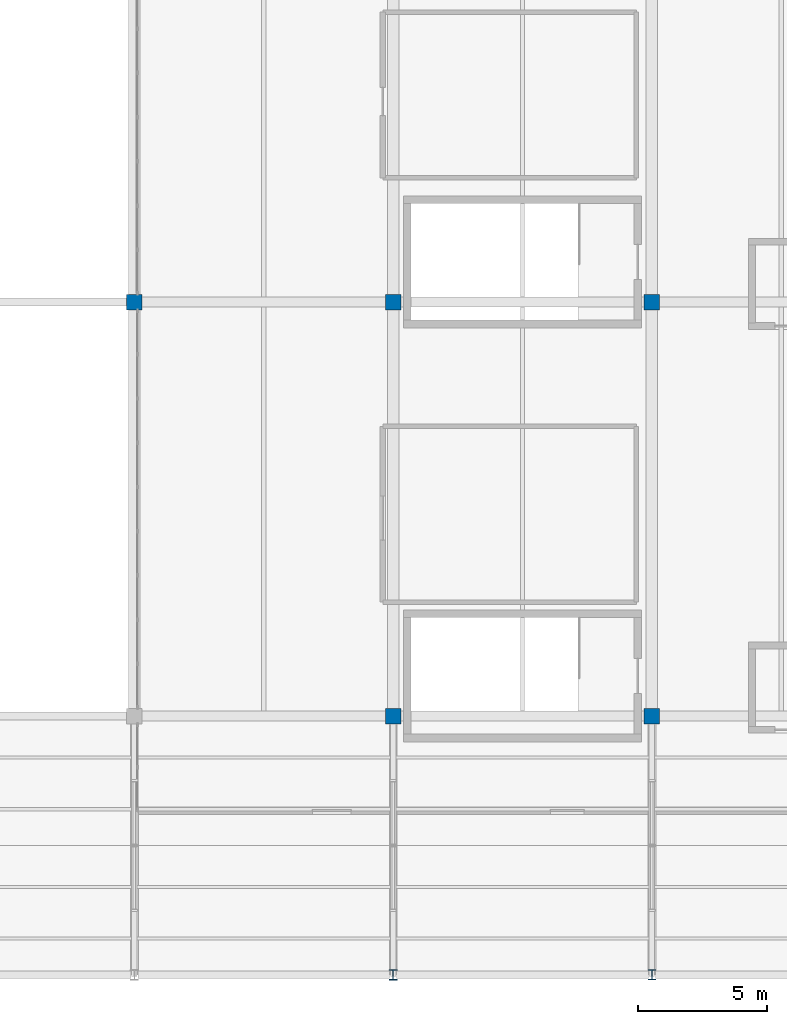
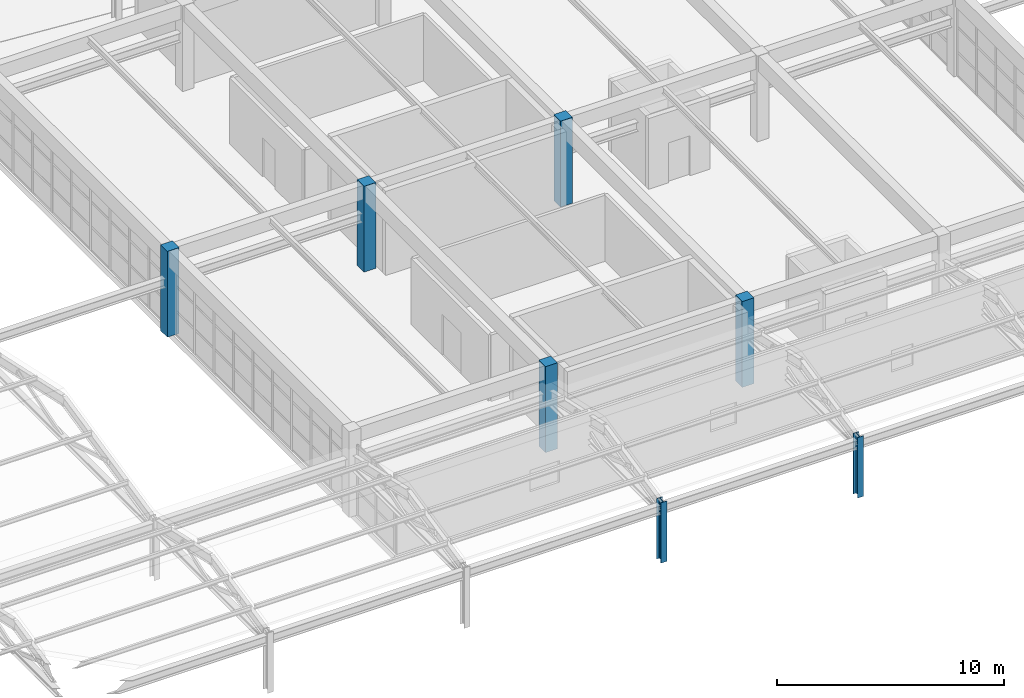
# One storey, part 2 of 109: 7 columns.
"""IFC4 building model written with IfcOpenShell, lengths in metres."""

from ifc_helpers import new_model, si_unit, direction, frame, origin, origin_2d, place, context, subcontext, project, spatial, rectangle, i_section, extrude, material, material_profile, profile_set, type_object, element, save


model = new_model("IFC4")

# Units and contexts
model_context = context("Model", 3, precision=1e-05, world=origin(), true_north=direction((0.0, 1.0)))
body_context = subcontext(model_context, "Body", "Model", "MODEL_VIEW")
ifc_project = project(units=[si_unit("LENGTHUNIT", "METRE"), si_unit("AREAUNIT", "SQUARE_METRE"), si_unit("VOLUMEUNIT", "CUBIC_METRE"), si_unit("PLANEANGLEUNIT", "RADIAN"), si_unit("MASSUNIT", "GRAM", prefix="KILO")], contexts=[model_context])

# Site, building, storey
site_placement = place(None, origin())
site = spatial("IfcSite", under=ifc_project, at=site_placement, CompositionType="ELEMENT")
building_placement = place(site_placement, origin())
building = spatial("IfcBuilding", under=site, at=building_placement, Name="Kivolera Central Railway Station", CompositionType="ELEMENT")
storey_placement = place(building_placement, frame((0.0, 0.0, 9.60009765625)))
storey = spatial("IfcBuildingStorey", under=building, at=storey_placement, Name="L02", CompositionType="ELEMENT", Elevation=9.60009765625)

# Columns
ifc_material_1 = material(Name="Concrete C40/50", Category="concrete")
ifc_material_profile_1 = material_profile(ifc_material_1, rectangle(XDim=0.60009765625, YDim=0.60009765625, at=origin_2d()), Name="RC 600x600")
ifc_profile_set_1 = profile_set([ifc_material_profile_1], Name="Concrete C40/50")
column_type_1 = type_object("IfcColumnType", Name="COL-RC-600", PredefinedType="COLUMN", material=ifc_profile_set_1)
for number, where, z_axis, x_axis, name in (
    (1, (48.0, 32.0, 0.0), (0.0, 0.0, 1.0), (1.0, 0.0, 0.0), "L02 Train Shed Upper Mast 5-C"),
    (2, (58.0, 16.0, 0.0), (0.0, 0.0, 1.0), (1.0, 0.0, 0.0), "L02 Train Shed Upper Mast 6-B"),
    (3, (58.0, 32.0, 0.0), (0.0, 0.0, 1.0), (1.0, 0.0, 0.0), "L02 Train Shed Upper Mast 6-C"),
    (4, (68.0, 16.0, 0.0), (0.0, 0.0, 1.0), (1.0, 0.0, 0.0), "L02 Train Shed Upper Mast 7-B"),
    (5, (68.0, 32.0, 0.0), (0.0, 0.0, 1.0), (1.0, 0.0, 0.0), "L02 Train Shed Upper Mast 7-C"),
):
    element("IfcColumn", number, at=place(storey_placement, frame(where, z_axis=z_axis, x_axis=x_axis)), inside=storey, type_object=column_type_1, Name=name, PredefinedType="COLUMN", context=body_context, shape_type="SweptSolid", body=[
        extrude(rectangle(XDim=0.60009765625, YDim=0.60009765625, at=origin_2d()), origin(), (0.0, 0.0, 1.0), 4.619873046875),
    ])
ifc_material_2 = material(Name="Steel S355", Category="steel")
ifc_material_profile_2 = material_profile(ifc_material_2, i_section(OverallWidth=0.300048828125, OverallDepth=0.39990234375, WebThickness=0.013427734375, FlangeThickness=0.02392578125, FilletRadius=0.027099609375, at=origin_2d()), Name="HEB 400")
ifc_profile_set_2 = profile_set([ifc_material_profile_2], Name="Steel S355")
column_type_2 = type_object("IfcColumnType", Name="COL-STL-HEB400", PredefinedType="COLUMN", material=ifc_profile_set_2)
for number, where, z_axis, x_axis, name in (
    (6, (58.0, 6.0, 0.0), (0.0, 0.0, 1.0), (1.0, 0.0, 0.0), "L02 Train Shed Upper Mast 6-A"),
    (7, (68.0, 6.0, 0.0), (0.0, 0.0, 1.0), (1.0, 0.0, 0.0), "L02 Train Shed Upper Mast 7-A"),
):
    element("IfcColumn", number, at=place(storey_placement, frame(where, z_axis=z_axis, x_axis=x_axis)), inside=storey, type_object=column_type_2, Name=name, PredefinedType="COLUMN", context=body_context, shape_type="SweptSolid", body=[
        extrude(i_section(OverallWidth=0.300048828125, OverallDepth=0.39990234375, WebThickness=0.013427734375, FlangeThickness=0.02392578125, FilletRadius=0.027099609375, at=origin_2d()), origin(), (0.0, 0.0, 1.0), 3.25),
    ])

save(model, "model.ifc")
